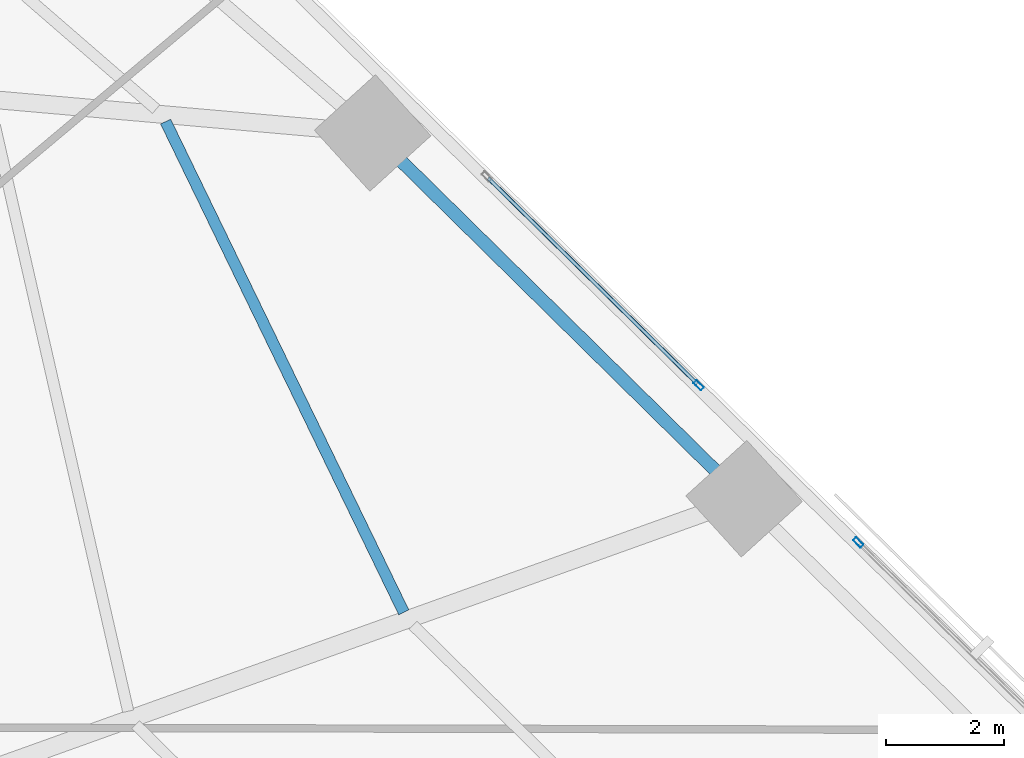
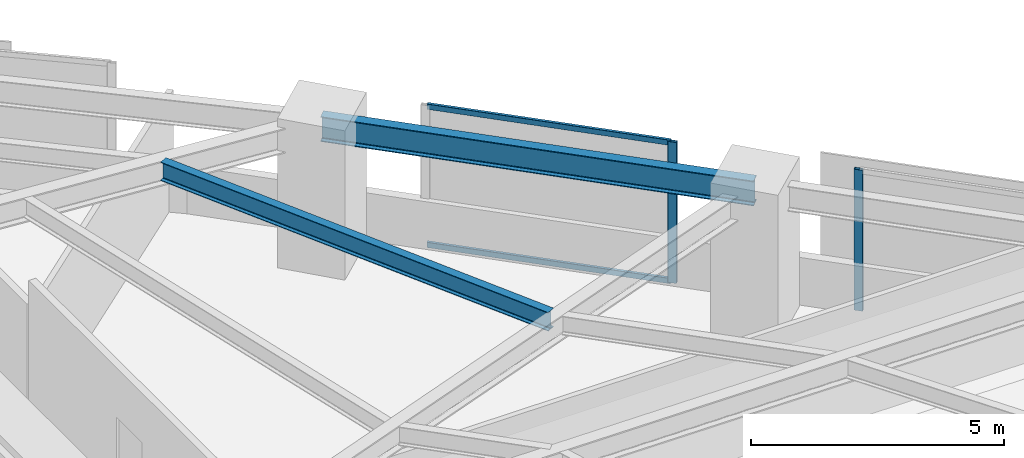
# One storey, part 6 of 17: 4 members, 2 beams, 2 elements without a shape of their own.
"""IFC4 building model written with IfcOpenShell, lengths in metres."""

from ifc_helpers import new_model, si_unit, direction, frame, origin, origin_2d, place, context, subcontext, project, spatial, hollow_rectangle, i_section, extrude, material, material_profile, profile_set, type_object, element, aggregate, save


model = new_model("IFC4")

# Units and contexts
model_context = context("Model", 3, precision=1e-05, world=origin(), true_north=direction((0.0, 1.0)))
body_context = subcontext(model_context, "Body", "Model", "MODEL_VIEW")
ifc_project = project(units=[si_unit("LENGTHUNIT", "METRE"), si_unit("AREAUNIT", "SQUARE_METRE"), si_unit("VOLUMEUNIT", "CUBIC_METRE"), si_unit("PLANEANGLEUNIT", "RADIAN"), si_unit("MASSUNIT", "GRAM", prefix="KILO")], contexts=[model_context])

# Site, building, storey
site_placement = place(None, origin())
site = spatial("IfcSite", under=ifc_project, at=site_placement, CompositionType="ELEMENT")
building_placement = place(site_placement, origin())
building = spatial("IfcBuilding", under=site, at=building_placement, Name="Narakoshi Arena Tower", CompositionType="ELEMENT")
storey_placement = place(building_placement, frame((0.0, 0.0, 41.10009765625)))
storey = spatial("IfcBuildingStorey", under=building, at=storey_placement, Name="L10", CompositionType="ELEMENT", Elevation=41.10009765625)

# Beams
ifc_material_1 = material(Name="Structural steel S355J2", Category="steel")
ifc_material_profile_1 = material_profile(ifc_material_1, i_section(OverallWidth=0.219970703125, OverallDepth=0.60009765625, WebThickness=0.011962890625, FlangeThickness=0.01904296875, FilletRadius=0.02392578125, at=origin_2d()), Name="IPE600")
ifc_profile_set_1 = profile_set([ifc_material_profile_1], Name="Structural steel S355J2")
beam_type_1 = type_object("IfcBeamType", Name="BM-EDGE-600", PredefinedType="BEAM", material=ifc_profile_set_1)
beam_1_placement = place(storey_placement, frame((102.345458984375, 49.373779296875, 3.099853515625), z_axis=(-0.712540689328, 0.70163079041, 0.0), x_axis=(-0.70163079041, -0.712540689328, 0.0)))
element("IfcBeam", 1, at=beam_1_placement, inside=storey, type_object=beam_type_1, Name="L10 Perimeter Edge Girder 07", PredefinedType="BEAM", context=body_context, shape_type="SweptSolid", body=[
    extrude(i_section(OverallWidth=0.219970703125, OverallDepth=0.60009765625, WebThickness=0.011962890625, FlangeThickness=0.01904296875, FilletRadius=0.02392578125, at=origin_2d()), origin(), (0.0, 0.0, 1.0), 8.83935546875),
])
ifc_material_profile_2 = material_profile(ifc_material_1, i_section(OverallWidth=0.18994140625, OverallDepth=0.449951171875, WebThickness=0.009521484375, FlangeThickness=0.0146484375, FilletRadius=0.02099609375, at=origin_2d()), Name="IPE450")
ifc_profile_set_2 = profile_set([ifc_material_profile_2], Name="Structural steel S355J2")
beam_type_2 = type_object("IfcBeamType", Name="BM-SEC-450", PredefinedType="JOIST", material=ifc_profile_set_2)
beam_2_placement = place(storey_placement, frame((96.575927734375, 47.447265625, 3.1748046875), z_axis=(-0.436645839052, 0.89963348717, 0.0), x_axis=(-0.89963348717, -0.436645839052, 0.0)))
element("IfcBeam", 2, at=beam_2_placement, inside=storey, type_object=beam_type_2, Name="L10 Composite Secondary Floor Joist 08", PredefinedType="JOIST", context=body_context, shape_type="SweptSolid", body=[
    extrude(i_section(OverallWidth=0.18994140625, OverallDepth=0.449951171875, WebThickness=0.009521484375, FlangeThickness=0.0146484375, FilletRadius=0.02099609375, at=origin_2d()), origin(), (0.0, 0.0, 1.0), 9.249755859375),
])

# Curtain wall, member
ifc_material_2 = material(Name="Anodised bronze aluminium 6063-T6", Category="aluminium")
curtain_wall_type = type_object("IfcCurtainWallType", Name="CW-HYP-LOW", PredefinedType="NOTDEFINED", material=ifc_material_2)
curtain_wall_1_placement = place(storey_placement, origin())
curtain_wall_1 = element("IfcCurtainWall", 3, at=curtain_wall_1_placement, inside=storey, type_object=curtain_wall_type, Name="L10 Folded Hypotenuse Curtain Wall 1-3", PredefinedType="NOTDEFINED")
ifc_material_profile_3 = material_profile(ifc_material_2, hollow_rectangle(XDim=0.074951171875, YDim=0.179931640625, WallThickness=0.00390625, OuterFilletRadius=0.0048828125, at=origin_2d()), Name="MUL180x75x4")
ifc_profile_set_3 = profile_set([ifc_material_profile_3], Name="Anodised bronze aluminium 6063-T6")
member_type_1 = type_object("IfcMemberType", Name="MEM-MUL-180", PredefinedType="MULLION", material=ifc_profile_set_3)
member_1_placement = place(storey_placement, frame((104.280517578125, 48.63330078125, 0.0), z_axis=(0.0, 0.0, 1.0), x_axis=(-0.701632802488, -0.712538708053, 0.0)))
member_1 = element("IfcMember", 4, at=member_1_placement, type_object=member_type_1, Name="CW-01 mullion 2", PredefinedType="MULLION", context=body_context, shape_type="SweptSolid", body=[
    extrude(hollow_rectangle(XDim=0.074951171875, YDim=0.179931640625, WallThickness=0.00390625, OuterFilletRadius=0.0048828125, at=origin_2d()), origin(), (0.0, 0.0, 1.0), 3.39990234375),
])
aggregate(curtain_wall_1, [member_1])

# Curtain wall, members
curtain_wall_2_placement = place(storey_placement, origin())
curtain_wall_2 = element("IfcCurtainWall", 5, at=curtain_wall_2_placement, inside=storey, type_object=curtain_wall_type, Name="L10 Folded Hypotenuse Curtain Wall 1-4", PredefinedType="NOTDEFINED")
member_2_placement = place(storey_placement, frame((101.574462890625, 51.2978515625, 0.0), z_axis=(0.0, 0.0, 1.0), x_axis=(-0.701632802488, -0.712538708053, 0.0)))
member_2 = element("IfcMember", 6, at=member_2_placement, type_object=member_type_1, Name="CW-01 mullion 1", PredefinedType="MULLION", context=body_context, shape_type="SweptSolid", body=[
    extrude(hollow_rectangle(XDim=0.074951171875, YDim=0.179931640625, WallThickness=0.00390625, OuterFilletRadius=0.0048828125, at=origin_2d()), origin(), (0.0, 0.0, 1.0), 3.39990234375),
])
ifc_material_profile_4 = material_profile(ifc_material_2, hollow_rectangle(XDim=0.06494140625, YDim=0.1298828125, WallThickness=0.00390625, OuterFilletRadius=0.0048828125, at=origin_2d()), Name="TRN130x65x4")
ifc_profile_set_4 = profile_set([ifc_material_profile_4], Name="Anodised bronze aluminium 6063-T6")
member_type_2 = type_object("IfcMemberType", Name="MEM-TRN-130", PredefinedType="USERDEFINED", material=ifc_profile_set_4)
member_3_placement = place(storey_placement, frame((101.547607421875, 51.32421875, 0.032470703125), z_axis=(-0.712542243067, 0.701629212508, 0.0), x_axis=(-0.701629212508, -0.712542243067, 0.0)))
member_3 = element("IfcMember", 7, at=member_3_placement, type_object=member_type_2, Name="CW-01 transom 1.1", ObjectType="TRANSOM", PredefinedType="USERDEFINED", context=body_context, shape_type="SweptSolid", body=[
    extrude(hollow_rectangle(XDim=0.06494140625, YDim=0.1298828125, WallThickness=0.00390625, OuterFilletRadius=0.0048828125, at=origin_2d()), origin(), (0.0, 0.0, 1.0), 4.966552734375),
])
member_4_placement = place(storey_placement, frame((101.547607421875, 51.32421875, 3.367431640625), z_axis=(-0.712542243067, 0.701629212508, 0.0), x_axis=(-0.701629212508, -0.712542243067, 0.0)))
member_4 = element("IfcMember", 8, at=member_4_placement, type_object=member_type_2, Name="CW-01 transom 1.2", ObjectType="TRANSOM", PredefinedType="USERDEFINED", context=body_context, shape_type="SweptSolid", body=[
    extrude(hollow_rectangle(XDim=0.06494140625, YDim=0.1298828125, WallThickness=0.00390625, OuterFilletRadius=0.0048828125, at=origin_2d()), origin(), (0.0, 0.0, 1.0), 4.966552734375),
])
aggregate(curtain_wall_2, [member_2, member_3, member_4])

save(model, "model.ifc")
